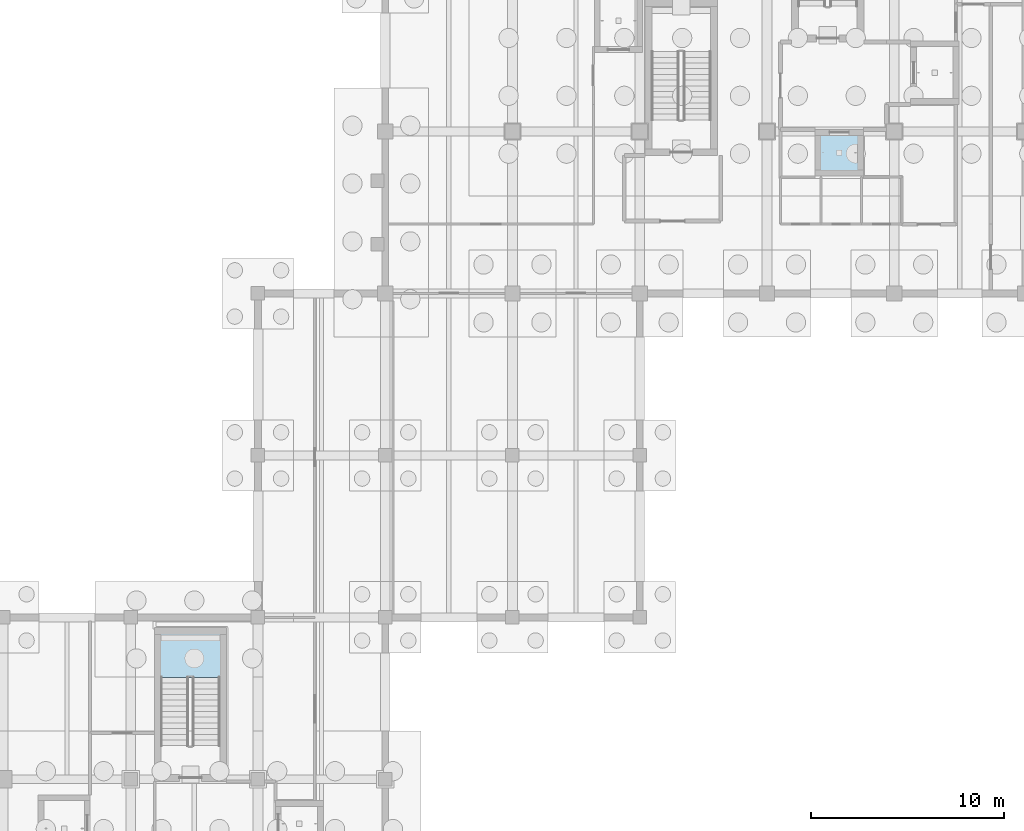
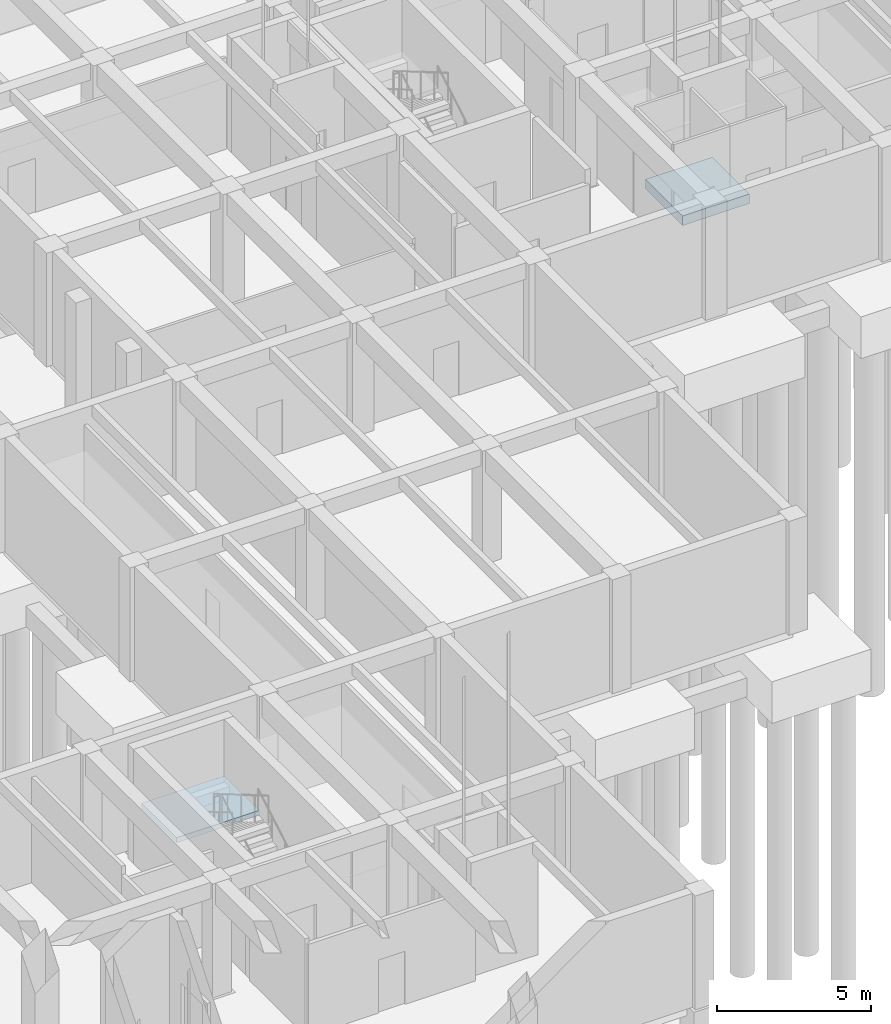
# One storey, part 20 of 44: 2 slabs, 1 element without a shape of its own.
"""IFC4 building model written with IfcOpenShell, lengths in metres."""

from ifc_helpers import new_model, si_unit, direction, frame, origin, place, context, subcontext, project, spatial, polyline, outline, extrude, material, layer, layer_set, type_object, element, aggregate, save


model = new_model("IFC4")

# Units and contexts
model_context = context("Model", 3, precision=1e-05, world=origin(), true_north=direction((0.0, 1.0)))
body_context = subcontext(model_context, "Body", "Model", "MODEL_VIEW")
ifc_project = project(units=[si_unit("LENGTHUNIT", "METRE"), si_unit("AREAUNIT", "SQUARE_METRE"), si_unit("VOLUMEUNIT", "CUBIC_METRE"), si_unit("PLANEANGLEUNIT", "RADIAN"), si_unit("MASSUNIT", "GRAM", prefix="KILO")], contexts=[model_context])

# Site, building, storey
site_placement = place(None, origin())
site = spatial("IfcSite", under=ifc_project, at=site_placement, CompositionType="ELEMENT")
building_placement = place(site_placement, origin())
building = spatial("IfcBuilding", under=site, at=building_placement, Name="Kolvaren Faculty of Natural Sciences", CompositionType="ELEMENT")
storey_placement = place(building_placement, frame((0.0, 0.0, -4.5)))
storey = spatial("IfcBuildingStorey", under=building, at=storey_placement, Name="B01", CompositionType="ELEMENT", Elevation=-4.5)

# Slab
ifc_material = material(Name="Concrete C35/45", Category="concrete")
ifc_layer_1 = layer(ifc_material, 0.3798828125)
ifc_layer_set_1 = layer_set([ifc_layer_1], Name="Concrete C35/45")
slab_type_1 = type_object("IfcSlabType", Name="LiftPitSlab_380", PredefinedType="BASESLAB", material=ifc_layer_set_1)
slab_1_placement = place(storey_placement, frame((0.0, 0.0, -1.199951171875)))
element("IfcSlab", 1, at=slab_1_placement, inside=storey, type_object=slab_type_1, Name="Lift PL-1 reinforced concrete pit base slab", PredefinedType="BASESLAB", context=body_context, shape_type="SweptSolid", body=[
    extrude(outline(polyline([(161.10009765625, 65.10009765625), (163.60009765625, 65.10009765625), (163.60009765625, 67.5), (161.10009765625, 67.5), (161.10009765625, 65.10009765625)])), origin(), (0.0, 0.0, 1.0), 0.3798828125),
])

# Stair, slab
stair_type = type_object("IfcStairType", Name="DoglegStair_H4500", PredefinedType="HALF_TURN_STAIR", material=ifc_material)
stair_placement = place(storey_placement, origin())
stair = element("IfcStair", 2, at=stair_placement, inside=storey, type_object=stair_type, Name="B01 Protected exit stair ST-3", PredefinedType="HALF_TURN_STAIR")
ifc_layer_2 = layer(ifc_material, 0.199951171875)
ifc_layer_set_2 = layer_set([ifc_layer_2], Name="Concrete C35/45")
slab_type_2 = type_object("IfcSlabType", Name="StairLandingSlab_200", PredefinedType="LANDING", material=ifc_layer_set_2)
slab_2_placement = place(storey_placement, frame((0.0, 0.0, 2.050048828125)))
slab_2 = element("IfcSlab", 3, at=slab_2_placement, type_object=slab_type_2, Name="ST-3 landing 1", PredefinedType="LANDING", context=body_context, shape_type="SweptSolid", body=[
    extrude(outline(polyline([(130.25, 39.090087890625), (130.25, 41.35009765625), (127.14990234375, 41.35009765625), (127.14990234375, 39.090087890625), (130.25, 39.090087890625)])), origin(), (0.0, 0.0, 1.0), 0.199951171875),
])
aggregate(stair, [slab_2])

save(model, "model.ifc")
